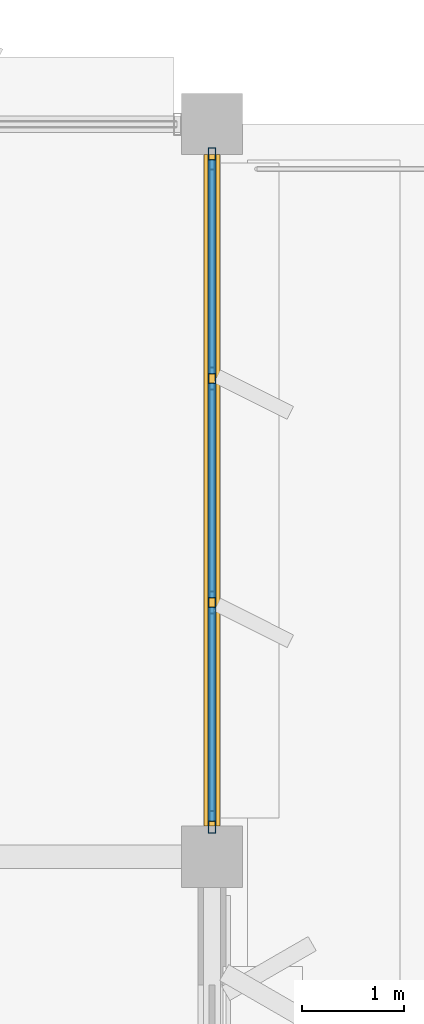
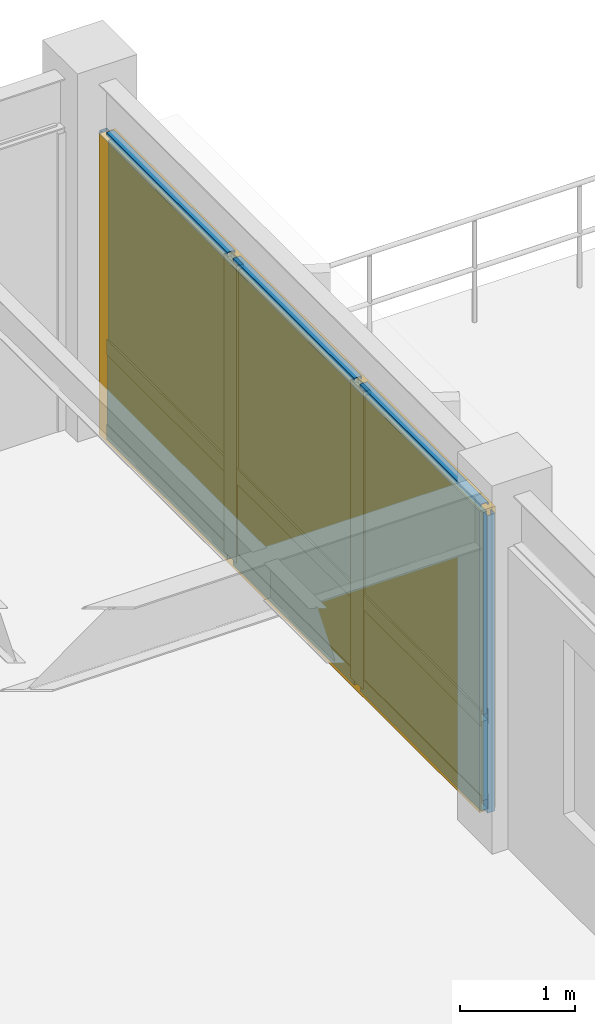
# One storey, part 28 of 35: 13 members, 6 plates, 1 curtain wall.
"""IFC4 building model written with IfcOpenShell, lengths in metres."""

from ifc_helpers import new_model, si_unit, direction, frame, origin, origin_2d, place, context, subcontext, project, spatial, rectangle, hollow_rectangle, extrude, material, layer, layer_set, material_profile, profile_set, type_object, element, aggregate, save


model = new_model("IFC4")

# Units and contexts
model_context = context("Model", 3, precision=1e-05, world=origin(), true_north=direction((0.0, 1.0)))
body_context = subcontext(model_context, "Body", "Model", "MODEL_VIEW")
ifc_project = project(units=[si_unit("LENGTHUNIT", "METRE"), si_unit("AREAUNIT", "SQUARE_METRE"), si_unit("VOLUMEUNIT", "CUBIC_METRE"), si_unit("PLANEANGLEUNIT", "RADIAN"), si_unit("MASSUNIT", "GRAM", prefix="KILO")], contexts=[model_context])

# Member
ifc_material_1 = material(Name="Anodized Aluminium 6063-T6", Category="aluminium")
ifc_material_profile_1 = material_profile(ifc_material_1, hollow_rectangle(XDim=0.074951171875, YDim=0.219970703125, WallThickness=0.0048828125, at=origin_2d()), Name="ALU 75x220x5")
ifc_profile_set_1 = profile_set([ifc_material_profile_1], Name="Anodized Aluminium 6063-T6")
member_type_1 = type_object("IfcMemberType", Name="CWM-75X180", PredefinedType="MULLION", material=ifc_profile_set_1)
site_placement = place(None, origin())
building_placement = place(site_placement, origin())
storey_placement = place(building_placement, frame((0.0, 0.0, 18.0)))
member_1_placement = place(storey_placement, frame((100.800048828125, 114.860107421875, 0.02001953125), z_axis=(0.0, 0.0, 1.0), x_axis=(1.0, 0.0, 0.0)))
member_1 = element("IfcMember", 1, at=member_1_placement, type_object=member_type_1, Name="Curtain wall mullion CW-L05-13-15-E-00", PredefinedType="MULLION", context=body_context, shape_type="SweptSolid", body=[
    extrude(hollow_rectangle(XDim=0.074951171875, YDim=0.219970703125, WallThickness=0.0048828125, at=origin_2d()), origin(), (0.0, 0.0, 1.0), 3.152099609375),
])

member_2_placement = place(storey_placement, frame((100.800048828125, 112.699951171875, 0.02001953125), z_axis=(0.0, 0.0, 1.0), x_axis=(1.0, 0.0, 0.0)))
member_2 = element("IfcMember", 2, at=member_2_placement, type_object=member_type_1, Name="Curtain wall mullion CW-L05-13-15-E-01", PredefinedType="MULLION", context=body_context, shape_type="SweptSolid", body=[
    extrude(hollow_rectangle(XDim=0.074951171875, YDim=0.219970703125, WallThickness=0.0048828125, at=origin_2d()), origin(), (0.0, 0.0, 1.0), 3.152099609375),
])

member_3_placement = place(storey_placement, frame((100.800048828125, 110.5, 0.02001953125), z_axis=(0.0, 0.0, 1.0), x_axis=(1.0, 0.0, 0.0)))
member_3 = element("IfcMember", 3, at=member_3_placement, type_object=member_type_1, Name="Curtain wall mullion CW-L05-13-15-E-02", PredefinedType="MULLION", context=body_context, shape_type="SweptSolid", body=[
    extrude(hollow_rectangle(XDim=0.074951171875, YDim=0.219970703125, WallThickness=0.0048828125, at=origin_2d()), origin(), (0.0, 0.0, 1.0), 3.152099609375),
])

member_4_placement = place(storey_placement, frame((100.800048828125, 108.340087890625, 0.02001953125), z_axis=(0.0, 0.0, 1.0), x_axis=(1.0, 0.0, 0.0)))
member_4 = element("IfcMember", 4, at=member_4_placement, type_object=member_type_1, Name="Curtain wall mullion CW-L05-13-15-E-03", PredefinedType="MULLION", context=body_context, shape_type="SweptSolid", body=[
    extrude(hollow_rectangle(XDim=0.074951171875, YDim=0.219970703125, WallThickness=0.0048828125, at=origin_2d()), origin(), (0.0, 0.0, 1.0), 3.152099609375),
])

ifc_material_profile_2 = material_profile(ifc_material_1, hollow_rectangle(XDim=0.074951171875, YDim=0.159912109375, WallThickness=0.00390625, at=origin_2d()), Name="ALU 75x160x4")
ifc_profile_set_2 = profile_set([ifc_material_profile_2], Name="Anodized Aluminium 6063-T6")
member_type_2 = type_object("IfcMemberType", Name="CWT-75X150", PredefinedType="USERDEFINED", material=ifc_profile_set_2)
member_5_placement = place(storey_placement, frame((100.800048828125, 114.85009765625, 0.050048828125), z_axis=(0.0, -1.0, 0.0), x_axis=(1.0, 0.0, 0.0)))
member_5 = element("IfcMember", 5, at=member_5_placement, type_object=member_type_2, Name="Curtain wall transom CW-L05-13-15-E-1.01", ObjectType="TRANSOM", PredefinedType="USERDEFINED", context=body_context, shape_type="SweptSolid", body=[
    extrude(hollow_rectangle(XDim=0.074951171875, YDim=0.159912109375, WallThickness=0.00390625, at=origin_2d()), origin(), (0.0, 0.0, 1.0), 2.10009765625),
])

member_6_placement = place(storey_placement, frame((100.800048828125, 112.64990234375, 0.050048828125), z_axis=(0.0, -1.0, 0.0), x_axis=(1.0, 0.0, 0.0)))
member_6 = element("IfcMember", 6, at=member_6_placement, type_object=member_type_2, Name="Curtain wall transom CW-L05-13-15-E-1.02", ObjectType="TRANSOM", PredefinedType="USERDEFINED", context=body_context, shape_type="SweptSolid", body=[
    extrude(hollow_rectangle(XDim=0.074951171875, YDim=0.159912109375, WallThickness=0.00390625, at=origin_2d()), origin(), (0.0, 0.0, 1.0), 2.099853515625),
])

member_7_placement = place(storey_placement, frame((100.800048828125, 110.449951171875, 0.050048828125), z_axis=(0.0, -1.0, 0.0), x_axis=(1.0, 0.0, 0.0)))
member_7 = element("IfcMember", 7, at=member_7_placement, type_object=member_type_2, Name="Curtain wall transom CW-L05-13-15-E-1.03", ObjectType="TRANSOM", PredefinedType="USERDEFINED", context=body_context, shape_type="SweptSolid", body=[
    extrude(hollow_rectangle(XDim=0.074951171875, YDim=0.159912109375, WallThickness=0.00390625, at=origin_2d()), origin(), (0.0, 0.0, 1.0), 2.099853515625),
])

member_8_placement = place(storey_placement, frame((100.800048828125, 114.85009765625, 0.949951171875), z_axis=(0.0, -1.0, 0.0), x_axis=(1.0, 0.0, 0.0)))
member_8 = element("IfcMember", 8, at=member_8_placement, type_object=member_type_2, Name="Curtain wall transom CW-L05-13-15-E-2.01", ObjectType="TRANSOM", PredefinedType="USERDEFINED", context=body_context, shape_type="SweptSolid", body=[
    extrude(hollow_rectangle(XDim=0.074951171875, YDim=0.159912109375, WallThickness=0.00390625, at=origin_2d()), origin(), (0.0, 0.0, 1.0), 2.10009765625),
])

member_9_placement = place(storey_placement, frame((100.800048828125, 112.64990234375, 0.949951171875), z_axis=(0.0, -1.0, 0.0), x_axis=(1.0, 0.0, 0.0)))
member_9 = element("IfcMember", 9, at=member_9_placement, type_object=member_type_2, Name="Curtain wall transom CW-L05-13-15-E-2.02", ObjectType="TRANSOM", PredefinedType="USERDEFINED", context=body_context, shape_type="SweptSolid", body=[
    extrude(hollow_rectangle(XDim=0.074951171875, YDim=0.159912109375, WallThickness=0.00390625, at=origin_2d()), origin(), (0.0, 0.0, 1.0), 2.099853515625),
])

member_10_placement = place(storey_placement, frame((100.800048828125, 110.449951171875, 0.949951171875), z_axis=(0.0, -1.0, 0.0), x_axis=(1.0, 0.0, 0.0)))
member_10 = element("IfcMember", 10, at=member_10_placement, type_object=member_type_2, Name="Curtain wall transom CW-L05-13-15-E-2.03", ObjectType="TRANSOM", PredefinedType="USERDEFINED", context=body_context, shape_type="SweptSolid", body=[
    extrude(hollow_rectangle(XDim=0.074951171875, YDim=0.159912109375, WallThickness=0.00390625, at=origin_2d()), origin(), (0.0, 0.0, 1.0), 2.099853515625),
])

member_11_placement = place(storey_placement, frame((100.800048828125, 114.85009765625, 3.14208984375), z_axis=(0.0, -1.0, 0.0), x_axis=(1.0, 0.0, 0.0)))
member_11 = element("IfcMember", 11, at=member_11_placement, type_object=member_type_2, Name="Curtain wall transom CW-L05-13-15-E-3.01", ObjectType="TRANSOM", PredefinedType="USERDEFINED", context=body_context, shape_type="SweptSolid", body=[
    extrude(hollow_rectangle(XDim=0.074951171875, YDim=0.159912109375, WallThickness=0.00390625, at=origin_2d()), origin(), (0.0, 0.0, 1.0), 2.10009765625),
])

member_12_placement = place(storey_placement, frame((100.800048828125, 112.64990234375, 3.14208984375), z_axis=(0.0, -1.0, 0.0), x_axis=(1.0, 0.0, 0.0)))
member_12 = element("IfcMember", 12, at=member_12_placement, type_object=member_type_2, Name="Curtain wall transom CW-L05-13-15-E-3.02", ObjectType="TRANSOM", PredefinedType="USERDEFINED", context=body_context, shape_type="SweptSolid", body=[
    extrude(hollow_rectangle(XDim=0.074951171875, YDim=0.159912109375, WallThickness=0.00390625, at=origin_2d()), origin(), (0.0, 0.0, 1.0), 2.099853515625),
])

member_13_placement = place(storey_placement, frame((100.800048828125, 110.449951171875, 3.14208984375), z_axis=(0.0, -1.0, 0.0), x_axis=(1.0, 0.0, 0.0)))
member_13 = element("IfcMember", 13, at=member_13_placement, type_object=member_type_2, Name="Curtain wall transom CW-L05-13-15-E-3.03", ObjectType="TRANSOM", PredefinedType="USERDEFINED", context=body_context, shape_type="SweptSolid", body=[
    extrude(hollow_rectangle(XDim=0.074951171875, YDim=0.159912109375, WallThickness=0.00390625, at=origin_2d()), origin(), (0.0, 0.0, 1.0), 2.099853515625),
])

# Plate
ifc_material_2 = material(Name="Acoustic Laminated Low-E Glazing", Category="glass")
ifc_layer_1 = layer(ifc_material_2, 0.0439453125)
ifc_layer_set_1 = layer_set([ifc_layer_1], Name="Acoustic Laminated Low-E Glazing")
plate_type_1 = type_object("IfcPlateType", Name="CWP-IGU-44", PredefinedType="CURTAIN_PANEL", material=ifc_layer_set_1)
plate_1_placement = place(storey_placement, frame((100.800048828125, 113.800048828125, 0.989990234375), z_axis=(0.0, 0.0, 1.0), x_axis=(0.0, -1.0, 0.0)))
plate_1 = element("IfcPlate", 14, at=plate_1_placement, type_object=plate_type_1, Name="Curtain wall vision glazing CW-L05-13-15-E-01", PredefinedType="CURTAIN_PANEL", context=body_context, shape_type="SweptSolid", body=[
    extrude(rectangle(XDim=2.110107421875, YDim=0.0400390625, at=origin_2d()), origin(), (0.0, 0.0, 1.0), 2.14208984375),
])

plate_2_placement = place(storey_placement, frame((100.800048828125, 111.60009765625, 0.989990234375), z_axis=(0.0, 0.0, 1.0), x_axis=(0.0, -1.0, 0.0)))
plate_2 = element("IfcPlate", 15, at=plate_2_placement, type_object=plate_type_1, Name="Curtain wall vision glazing CW-L05-13-15-E-02", PredefinedType="CURTAIN_PANEL", context=body_context, shape_type="SweptSolid", body=[
    extrude(rectangle(XDim=2.110107421875, YDim=0.0400390625, at=origin_2d()), origin(), (0.0, 0.0, 1.0), 2.14208984375),
])

plate_3_placement = place(storey_placement, frame((100.800048828125, 109.39990234375, 0.989990234375), z_axis=(0.0, 0.0, 1.0), x_axis=(0.0, -1.0, 0.0)))
plate_3 = element("IfcPlate", 16, at=plate_3_placement, type_object=plate_type_1, Name="Curtain wall vision glazing CW-L05-13-15-E-03", PredefinedType="CURTAIN_PANEL", context=body_context, shape_type="SweptSolid", body=[
    extrude(rectangle(XDim=2.110107421875, YDim=0.0400390625, at=origin_2d()), origin(), (0.0, 0.0, 1.0), 2.14208984375),
])

ifc_material_3 = material(Name="Insulated Stone-Composite Spandrel", Category="masonry")
ifc_layer_2 = layer(ifc_material_3, 0.068115234375)
ifc_layer_set_2 = layer_set([ifc_layer_2], Name="Insulated Stone-Composite Spandrel")
plate_type_2 = type_object("IfcPlateType", Name="CWP-SPN-68", PredefinedType="CURTAIN_PANEL", material=ifc_layer_set_2)
plate_4_placement = place(storey_placement, frame((100.800048828125, 113.800048828125, 0.080078125), z_axis=(0.0, 0.0, 1.0), x_axis=(0.0, -1.0, 0.0)))
plate_4 = element("IfcPlate", 17, at=plate_4_placement, type_object=plate_type_2, Name="Curtain wall spandrel panel CW-L05-13-15-E-01", PredefinedType="CURTAIN_PANEL", context=body_context, shape_type="SweptSolid", body=[
    extrude(rectangle(XDim=2.110107421875, YDim=0.06005859375, at=origin_2d()), origin(), (0.0, 0.0, 1.0), 0.840087890625),
])

plate_5_placement = place(storey_placement, frame((100.800048828125, 111.60009765625, 0.080078125), z_axis=(0.0, 0.0, 1.0), x_axis=(0.0, -1.0, 0.0)))
plate_5 = element("IfcPlate", 18, at=plate_5_placement, type_object=plate_type_2, Name="Curtain wall spandrel panel CW-L05-13-15-E-02", PredefinedType="CURTAIN_PANEL", context=body_context, shape_type="SweptSolid", body=[
    extrude(rectangle(XDim=2.110107421875, YDim=0.06005859375, at=origin_2d()), origin(), (0.0, 0.0, 1.0), 0.840087890625),
])

plate_6_placement = place(storey_placement, frame((100.800048828125, 109.39990234375, 0.080078125), z_axis=(0.0, 0.0, 1.0), x_axis=(0.0, -1.0, 0.0)))
plate_6 = element("IfcPlate", 19, at=plate_6_placement, type_object=plate_type_2, Name="Curtain wall spandrel panel CW-L05-13-15-E-03", PredefinedType="CURTAIN_PANEL", context=body_context, shape_type="SweptSolid", body=[
    extrude(rectangle(XDim=2.110107421875, YDim=0.06005859375, at=origin_2d()), origin(), (0.0, 0.0, 1.0), 0.840087890625),
])

# Site, building, storey
site = spatial("IfcSite", under=ifc_project, at=site_placement, CompositionType="ELEMENT")
building = spatial("IfcBuilding", under=site, at=building_placement, Name="Sillqori Civic Hall", CompositionType="ELEMENT")
storey = spatial("IfcBuildingStorey", under=building, at=storey_placement, Name="L05", CompositionType="ELEMENT", Elevation=18.0)

# Curtain wall
ifc_material_4 = material(Name="Anodized Aluminium Curtain Wall System", Category="aluminium")
curtain_wall_type = type_object("IfcCurtainWallType", Name="CW-AD-370", PredefinedType="NOTDEFINED", material=ifc_material_4)
curtain_wall_placement = place(storey_placement, frame((100.800048828125, 111.60009765625, 0.0), z_axis=(0.0, 0.0, 1.0), x_axis=(0.0, -1.0, 0.0)))
curtain_wall = element("IfcCurtainWall", 20, at=curtain_wall_placement, inside=storey, type_object=curtain_wall_type, Name="L05 unitised curtain wall CW-L05-13-15-E", PredefinedType="NOTDEFINED", context=body_context, shape_type="SweptSolid", body=[
    extrude(rectangle(XDim=6.60009765625, YDim=0.159912109375, at=origin_2d()), origin(), (0.0, 0.0, 1.0), 3.19189453125),
])

aggregate(curtain_wall, [member_1, member_2, member_3, member_4, member_5, member_6, member_7, member_8, member_9, member_10, member_11, member_12, member_13, plate_4, plate_1, plate_5, plate_2, plate_6, plate_3])

save(model, "model.ifc")
